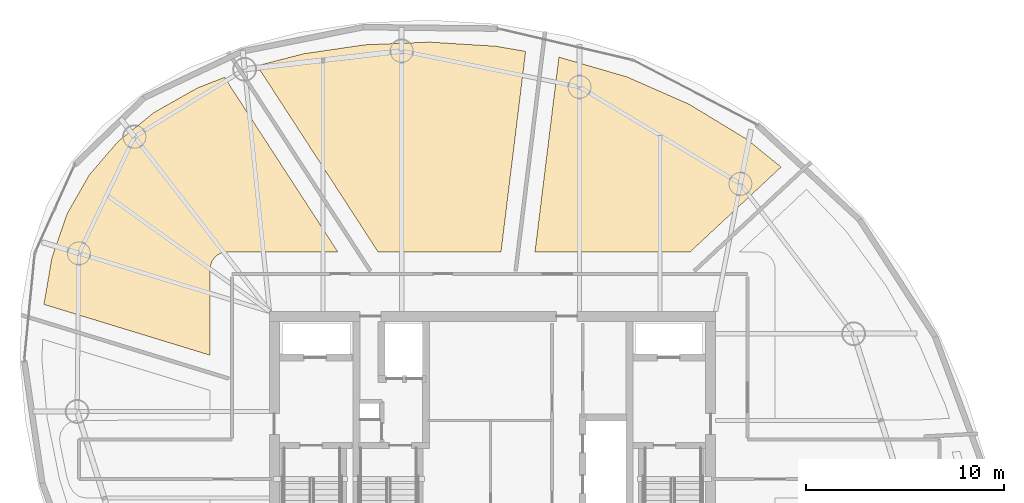
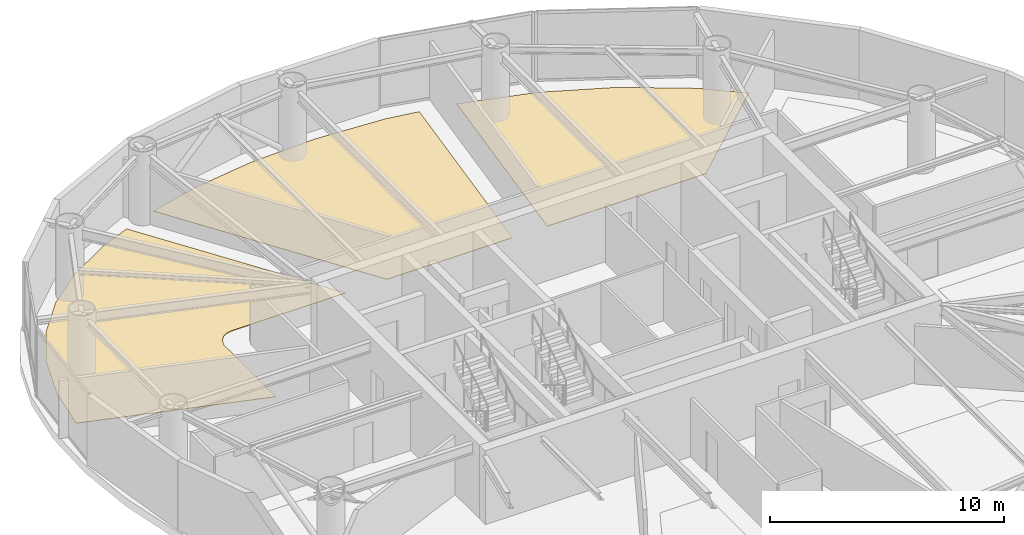
# One storey, part 25 of 25: 3 coverings.
"""IFC4 building model written with IfcOpenShell, lengths in metres."""

from ifc_helpers import new_model, si_unit, direction, frame, origin, place, context, subcontext, project, spatial, polyline, outline, extrude, material, layer, layer_set, type_object, element, save


model = new_model("IFC4")

# Units and contexts
model_context = context("Model", 3, precision=1e-05, world=origin(), true_north=direction((0.0, 1.0)))
body_context = subcontext(model_context, "Body", "Model", "MODEL_VIEW")
ifc_project = project(units=[si_unit("LENGTHUNIT", "METRE"), si_unit("AREAUNIT", "SQUARE_METRE"), si_unit("VOLUMEUNIT", "CUBIC_METRE"), si_unit("PLANEANGLEUNIT", "RADIAN"), si_unit("MASSUNIT", "GRAM", prefix="KILO")], contexts=[model_context])

# Site, building, storey
site_placement = place(None, origin())
site = spatial("IfcSite", under=ifc_project, at=site_placement, CompositionType="ELEMENT")
building_placement = place(site_placement, origin())
building = spatial("IfcBuilding", under=site, at=building_placement, Name="Bramvorn Convention Spire", CompositionType="ELEMENT")
storey_placement = place(building_placement, frame((0.0, 0.0, 171.199951171875)))
storey = spatial("IfcBuildingStorey", under=building, at=storey_placement, Name="L43", CompositionType="ELEMENT", Elevation=171.199951171875)

# Coverings
ifc_material = material(Name="Honed Dolomitic Limestone Terrazzo Flooring", Category="masonry")
ifc_layer = layer(ifc_material, 0.02490234375)
ifc_layer_set = layer_set([ifc_layer], Name="Honed Dolomitic Limestone Terrazzo Flooring - FLR-TERRAZZO-25")
covering_type = type_object("IfcCoveringType", Name="FLR-TERRAZZO-25", PredefinedType="FLOORING", material=ifc_layer_set)
covering_1_placement = place(storey_placement, origin())
element("IfcCovering", 1, at=covering_1_placement, inside=storey, type_object=covering_type, Name="L43 Artisanal Dining Cafe 2 raised floor finish", PredefinedType="FLOORING", context=body_context, shape_type="SweptSolid", body=[
    extrude(outline(polyline([(41.34619140625, 46.2783203125), (40.139404296875, 36.449951171875), (47.9599609375, 36.449951171875), (52.5537109375, 40.73388671875), (50.82666015625, 42.13232421875), (47.912109375, 43.904296875), (44.784423828125, 45.27880859375), (41.34619140625, 46.2783203125)])), origin(), (0.0, 0.0, 1.0), 0.025146484375),
])
covering_2_placement = place(storey_placement, origin())
element("IfcCovering", 2, at=covering_2_placement, inside=storey, type_object=covering_type, Name="L43 Catering Pantry Kitchen 3 raised floor finish", PredefinedType="FLOORING", context=body_context, shape_type="SweptSolid", body=[
    extrude(outline(polyline([(32.227294921875, 36.449951171875), (38.4267578125, 36.449951171875), (39.669189453125, 46.568115234375), (38.15625, 46.829345703125), (34.81298828125, 47.0361328125), (31.5615234375, 46.899658203125), (28.4833984375, 46.450439453125), (26.12841796875, 45.84130859375), (32.227294921875, 36.449951171875)])), origin(), (0.0, 0.0, 1.0), 0.025146484375),
])
covering_3_placement = place(storey_placement, origin())
element("IfcCovering", 3, at=covering_3_placement, inside=storey, type_object=covering_type, Name="L43 Client Meeting Room A 4 raised floor finish", PredefinedType="FLOORING", context=body_context, shape_type="SweptSolid", body=[
    extrude(outline(polyline([(23.75, 31.24560546875), (23.754150390625, 35.683349609375), (23.850341796875, 36.000732421875), (24.060791015625, 36.257080078125), (24.274658203125, 36.38525390625), (24.60009765625, 36.449951171875), (30.2001953125, 36.449951171875), (24.479736328125, 45.2587890625), (23.1201171875, 44.7255859375), (20.93408203125, 43.4921875), (19.111572265625, 42.02685546875), (17.652099609375, 40.327392578125), (16.5439453125, 38.38037109375), (15.77880859375, 36.17041015625), (15.373291015625, 33.806396484375), (23.75, 31.24560546875)])), origin(), (0.0, 0.0, 1.0), 0.025146484375),
])

save(model, "model.ifc")
